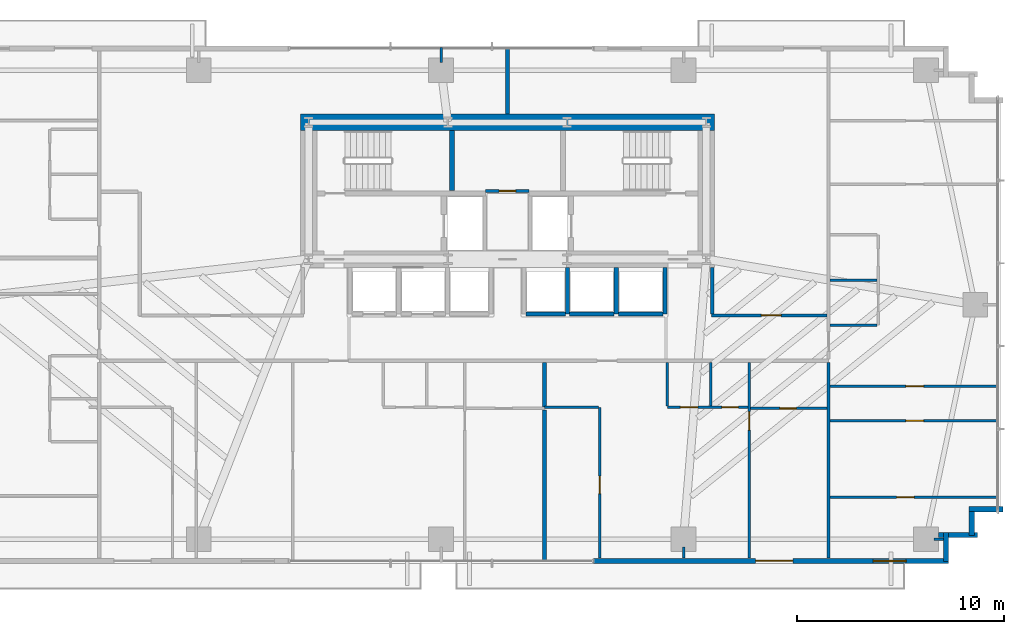
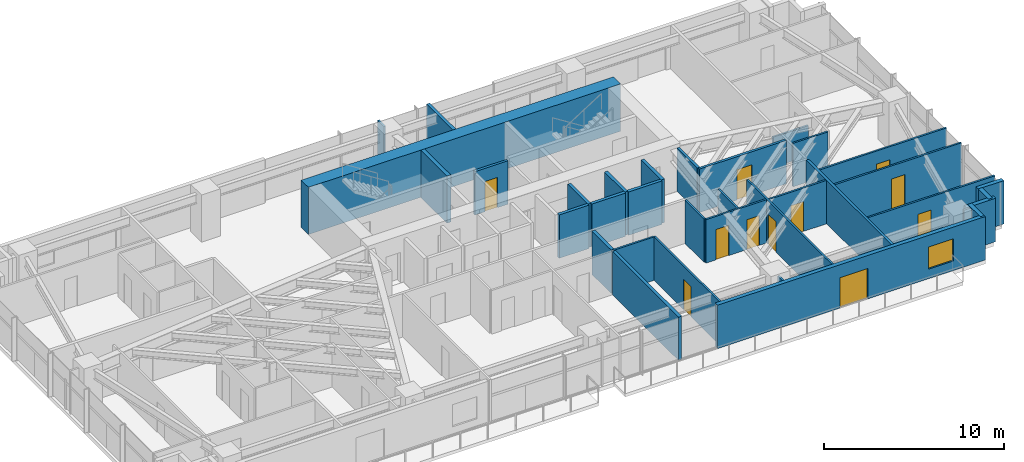
# One storey, part 21 of 25: 35 walls, 11 doors, 1 window, 12 openings.
"""IFC4 building model written with IfcOpenShell, lengths in metres."""

from ifc_helpers import new_model, si_unit, direction, frame, frame_2d, origin, place, context, subcontext, project, spatial, rectangle, extrude, source, transform, mapped, material, layer, layer_set, type_object, type_shapes, element, fill, save


model = new_model("IFC4")

# Units and contexts
model_context = context("Model", 3, precision=1e-05, world=origin(), true_north=direction((0.0, 1.0)))
body_context = subcontext(model_context, "Body", "Model", "MODEL_VIEW")
ifc_project = project(units=[si_unit("LENGTHUNIT", "METRE"), si_unit("AREAUNIT", "SQUARE_METRE"), si_unit("VOLUMEUNIT", "CUBIC_METRE"), si_unit("PLANEANGLEUNIT", "RADIAN"), si_unit("MASSUNIT", "GRAM", prefix="KILO")], contexts=[model_context])

# Site, building, storey
site_placement = place(None, origin())
site = spatial("IfcSite", under=ifc_project, at=site_placement, CompositionType="ELEMENT")
building_placement = place(site_placement, origin())
building = spatial("IfcBuilding", under=site, at=building_placement, Name="Astriad Promenade Condominiums", CompositionType="ELEMENT")
storey_placement = place(building_placement, frame((0.0, 0.0, 39.0)))
storey = spatial("IfcBuildingStorey", under=building, at=storey_placement, Name="L10", CompositionType="ELEMENT", Elevation=39.0)

# Walls
ifc_material_1 = material(Name="Concrete C80/95", Category="concrete")
ifc_layer_1 = layer(ifc_material_1, 0.800048828125)
ifc_layer_set_1 = layer_set([ifc_layer_1], Name="Concrete C80/95")
wall_type_1 = type_object("IfcWallType", Name="CW-SHEAR-800", PredefinedType="SHEAR", material=ifc_layer_set_1)
wall_1_placement = place(storey_placement, frame((26.0, 24.0, 0.0), z_axis=(0.0, 0.0, 1.0), x_axis=(1.0, 0.0, 0.0)))
element("IfcWall", 1, at=wall_1_placement, inside=storey, type_object=wall_type_1, Name="CW-CORE-N-L10", PredefinedType="SHEAR", context=body_context, shape_type="SweptSolid", body=[
    extrude(rectangle(XDim=20.0, YDim=0.800048828125, at=frame_2d((10.0, 0.0))), origin(), (0.0, 0.0, 1.0), 3.199951171875),
])
ifc_material_2 = material(Name="Concrete C50/60", Category="concrete")
ifc_layer_2 = layer(ifc_material_2, 0.25)
ifc_layer_set_2 = layer_set([ifc_layer_2], Name="Concrete C50/60")
wall_type_2 = type_object("IfcWallType", Name="WALL-CORE-INT-250", PredefinedType="SOLIDWALL", material=ifc_layer_set_2)
wall_2_placement = place(storey_placement, frame((33.324951171875, 20.701904296875, 0.0), z_axis=(0.0, 0.0, 1.0), x_axis=(0.0, 1.0, 0.0)))
element("IfcWall", 2, at=wall_2_placement, inside=storey, type_object=wall_type_2, Name="CW-ST1-E-L10", PredefinedType="SOLIDWALL", context=body_context, shape_type="SweptSolid", body=[
    extrude(rectangle(XDim=2.89599609375, YDim=0.25, at=frame_2d((1.447998046875, 0.0))), origin(), (0.0, 0.0, 1.0), 3.199951171875),
])

# Wall, opening, door
ifc_material_3 = material(Name="Fire-Rated Gypsum Partition")
ifc_layer_3 = layer(ifc_material_3, 0.159912109375)
ifc_layer_set_3 = layer_set([ifc_layer_3], Name="Fire-Rated Gypsum Partition")
wall_type_3 = type_object("IfcWallType", Name="WALL-CORR-160", PredefinedType="PARTITIONING", material=ifc_layer_set_3)
wall_3_placement = place(storey_placement, frame((34.949951171875, 20.68994140625, 0.0), z_axis=(0.0, 0.0, 1.0), x_axis=(1.0, 0.0, 0.0)))
wall_3 = element("IfcWall", 3, at=wall_3_placement, inside=storey, type_object=wall_type_3, Name="CW-AUX-S-L10", PredefinedType="PARTITIONING", context=body_context, shape_type="SweptSolid", body=[
    extrude(rectangle(XDim=2.10009765625, YDim=0.159912109375, at=frame_2d((1.050048828125, 0.0))), origin(), (0.0, 0.0, 1.0), 2.93994140625),
])
opening_1_placement = place(wall_3_placement, frame((0.64990234375, 0.0, 0.0)))
opening_1 = element("IfcOpeningElement", 4, at=opening_1_placement, cuts=wall_3, Name="Opening FD60-SV-080", PredefinedType="OPENING", context=body_context, shape_type="SweptSolid", body=[
    extrude(rectangle(XDim=0.800048828125, YDim=2.050048828125, at=frame_2d((0.39990234375, 1.02490234375))), frame((0.0, 0.08984375, 0.0), z_axis=(0.0, -1.0, 0.0), x_axis=(1.0, 0.0, 0.0)), (0.0, 0.0, 1.0), 0.179931640625),
])
ifc_material_4 = material(Name="Fire-Rated Riser Closet Door")
door_type_1 = type_object("IfcDoorType", Name="FD60-SV-080", OperationType="NOTDEFINED", PredefinedType="DOOR", material=ifc_material_4)
shared_shape_1 = source(origin(), body_context, "Body", "SweptSolid", [
    extrude(rectangle(XDim=0.800048828125, YDim=2.050048828125, at=frame_2d((0.39990234375, 1.02490234375))), frame((0.0, 0.02490234375, 0.0), z_axis=(0.0, -1.0, 0.0), x_axis=(1.0, 0.0, 0.0)), (0.0, 0.0, 1.0), 0.050048828125),
])
type_shapes(door_type_1, [shared_shape_1])
door_1_placement = place(opening_1_placement, origin())
door_1 = element("IfcDoor", 5, at=door_1_placement, inside=storey, type_object=door_type_1, Name="D-AUX1-L10", OperationType="SINGLE_SWING_LEFT", OverallHeight=2.050048828125, OverallWidth=0.800048828125, PredefinedType="DOOR", context=body_context, shape_type="MappedRepresentation", body=[
    mapped(shared_shape_1, transform((0.0, 0.0, 0.0), scale=1.0)),
])
fill(opening_1, door_1)

# Wall
wall_4_placement = place(storey_placement, frame((51.5, 2.9619140625, 0.0), z_axis=(0.0, 0.0, 1.0), x_axis=(0.0, 1.0, 0.0)))
element("IfcWall", 6, at=wall_4_placement, inside=storey, type_object=wall_type_3, Name="PT-COR-E-L10", PredefinedType="PARTITIONING", context=body_context, shape_type="SweptSolid", body=[
    extrude(rectangle(XDim=9.446044921875, YDim=0.159912109375, at=frame_2d((4.72314453125, 0.0))), origin(), (0.0, 0.0, 1.0), 2.93994140625),
])

# Wall, opening, door
wall_5_placement = place(storey_placement, frame((45.840087890625, 14.679931640625, 0.0), z_axis=(0.0, 0.0, 1.0), x_axis=(1.0, 0.0, 0.0)))
wall_5 = element("IfcWall", 7, at=wall_5_placement, inside=storey, type_object=wall_type_3, Name="PT-FLK-NE-L10", PredefinedType="PARTITIONING", context=body_context, shape_type="SweptSolid", body=[
    extrude(rectangle(XDim=5.577880859375, YDim=0.159912109375, at=frame_2d((2.7890625, 0.0))), origin(), (0.0, 0.0, 1.0), 2.93994140625),
])
opening_2_placement = place(wall_5_placement, frame((2.4150390625, 0.0, 0.0)))
opening_2 = element("IfcOpeningElement", 8, at=opening_2_placement, cuts=wall_5, Name="Opening FD60-APT-095", PredefinedType="OPENING", context=body_context, shape_type="SweptSolid", body=[
    extrude(rectangle(XDim=0.949951171875, YDim=2.06005859375, at=frame_2d((0.47509765625, 1.030029296875))), frame((0.0, 0.08984375, 0.0), z_axis=(0.0, -1.0, 0.0), x_axis=(1.0, 0.0, 0.0)), (0.0, 0.0, 1.0), 0.179931640625),
])
ifc_material_5 = material(Name="Solid-Core Acoustic Timber Residence Entry Door", Category="wood")
door_type_2 = type_object("IfcDoorType", Name="FD60-APT-095", OperationType="NOTDEFINED", PredefinedType="DOOR", material=ifc_material_5)
shared_shape_2 = source(origin(), body_context, "Body", "SweptSolid", [
    extrude(rectangle(XDim=0.949951171875, YDim=2.06005859375, at=frame_2d((0.47509765625, 1.030029296875))), frame((0.0, 0.02490234375, 0.0), z_axis=(0.0, -1.0, 0.0), x_axis=(1.0, 0.0, 0.0)), (0.0, 0.0, 1.0), 0.050048828125),
])
type_shapes(door_type_2, [shared_shape_2])
door_2_placement = place(opening_2_placement, origin())
door_2 = element("IfcDoor", 9, at=door_2_placement, inside=storey, type_object=door_type_2, Name="D-NEA-L10", OperationType="SINGLE_SWING_LEFT", OverallHeight=2.06005859375, OverallWidth=0.949951171875, PredefinedType="DOOR", context=body_context, shape_type="MappedRepresentation", body=[
    mapped(shared_shape_2, transform((0.0, 0.0, 0.0), scale=1.0)),
])
fill(opening_2, door_2)

# Walls
wall_6_placement = place(storey_placement, frame((45.8798828125, 14.761962890625, 0.0), z_axis=(0.0, 0.0, 1.0), x_axis=(0.0, 1.0, 0.0)))
element("IfcWall", 10, at=wall_6_placement, inside=storey, type_object=wall_type_3, Name="PT-ESPUR-E-L10", PredefinedType="PARTITIONING", context=body_context, shape_type="SweptSolid", body=[
    extrude(rectangle(XDim=2.236083984375, YDim=0.159912109375, at=frame_2d((1.1181640625, 0.0))), origin(), (0.0, 0.0, 1.0), 2.93994140625),
])
ifc_material_6 = material(Name="Acoustic Double-Stud Gypsum Partition")
ifc_layer_4 = layer(ifc_material_6, 0.199951171875)
ifc_layer_set_4 = layer_set([ifc_layer_4], Name="Acoustic Double-Stud Gypsum Partition")
wall_type_4 = type_object("IfcWallType", Name="WALL-DEMISING-200", PredefinedType="PARTITIONING", material=ifc_layer_set_4)
wall_7_placement = place(storey_placement, frame((36.0, 24.402099609375, 0.0), z_axis=(0.0, 0.0, 1.0), x_axis=(0.0, 1.0, 0.0)))
element("IfcWall", 11, at=wall_7_placement, inside=storey, type_object=wall_type_4, Name="PT-NC-MID-L10", PredefinedType="PARTITIONING", context=body_context, shape_type="SweptSolid", body=[
    extrude(rectangle(XDim=3.218017578125, YDim=0.199951171875, at=frame_2d((1.60888671875, 0.0))), origin(), (0.0, 0.0, 1.0), 2.93994140625),
])
wall_8_placement = place(storey_placement, frame((37.7939453125, 2.780029296875, 0.0), z_axis=(0.0, 0.0, 1.0), x_axis=(0.0, 1.0, 0.0)))
element("IfcWall", 12, at=wall_8_placement, inside=storey, type_object=wall_type_4, Name="PT-DEM-S1-L10", PredefinedType="PARTITIONING", context=body_context, shape_type="SweptSolid", body=[
    extrude(rectangle(XDim=7.347900390625, YDim=0.199951171875, at=frame_2d((3.673828125, 0.0))), origin(), (0.0, 0.0, 1.0), 2.93994140625),
])
wall_9_placement = place(storey_placement, frame((37.7939453125, 10.251953125, 0.0), z_axis=(0.0, 0.0, 1.0), x_axis=(0.0, 1.0, 0.0)))
element("IfcWall", 13, at=wall_9_placement, inside=storey, type_object=wall_type_4, Name="PT-DEM-S1-L10-S2", PredefinedType="PARTITIONING", context=body_context, shape_type="SweptSolid", body=[
    extrude(rectangle(XDim=2.156005859375, YDim=0.199951171875, at=frame_2d((1.078125, 0.0))), origin(), (0.0, 0.0, 1.0), 2.93994140625),
])
ifc_material_7 = material(Name="Precast concrete C50/60", Category="concrete")
ifc_layer_5 = layer(ifc_material_7, 0.260009765625)
ifc_layer_set_5 = layer_set([ifc_layer_5], Name="Precast concrete C50/60")
wall_type_5 = type_object("IfcWallType", Name="WALL-EXT-TWR-260", PredefinedType="STANDARD", material=ifc_layer_set_5)
wall_10_placement = place(storey_placement, frame((59.929931640625, 5.330078125, 0.0), z_axis=(0.0, 0.0, 1.0), x_axis=(-1.0, 0.0, 0.0)))
element("IfcWall", 14, at=wall_10_placement, inside=storey, type_object=wall_type_5, Name="W-SER-L10-14", PredefinedType="STANDARD", context=body_context, shape_type="SweptSolid", body=[
    extrude(rectangle(XDim=1.639892578125, YDim=0.260009765625, at=frame_2d((0.81982421875, 0.0))), origin(), (0.0, 0.0, 1.0), 2.93994140625),
])
wall_11_placement = place(storey_placement, frame((58.419921875, 5.215087890625, 0.0), z_axis=(0.0, 0.0, 1.0), x_axis=(0.0, -1.0, 0.0)))
element("IfcWall", 15, at=wall_11_placement, inside=storey, type_object=wall_type_5, Name="W-SER-L10-15", PredefinedType="STANDARD", context=body_context, shape_type="SweptSolid", body=[
    extrude(rectangle(XDim=1.150146484375, YDim=0.260009765625, at=frame_2d((0.5751953125, 0.0))), origin(), (0.0, 0.0, 1.0), 2.93994140625),
])
wall_12_placement = place(storey_placement, frame((58.679931640625, 4.080078125, 0.0), z_axis=(0.0, 0.0, 1.0), x_axis=(-1.0, 0.0, 0.0)))
element("IfcWall", 16, at=wall_12_placement, inside=storey, type_object=wall_type_5, Name="W-SER-L10-16", PredefinedType="STANDARD", context=body_context, shape_type="SweptSolid", body=[
    extrude(rectangle(XDim=1.8779296875, YDim=0.260009765625, at=frame_2d((0.93896484375, 0.0))), origin(), (0.0, 0.0, 1.0), 2.93994140625),
])
wall_13_placement = place(storey_placement, frame((57.169921875, 4.2099609375, 0.0), z_axis=(0.0, 0.0, 1.0), x_axis=(0.0, -1.0, 0.0)))
element("IfcWall", 17, at=wall_13_placement, inside=storey, type_object=wall_type_5, Name="W-SER-L10-17", PredefinedType="STANDARD", context=body_context, shape_type="SweptSolid", body=[
    extrude(rectangle(XDim=1.39501953125, YDim=0.260009765625, at=frame_2d((0.697509765625, 0.0))), origin(), (0.0, 0.0, 1.0), 2.93994140625),
])

# Wall, openings, door, window
wall_14_placement = place(storey_placement, frame((57.300048828125, 2.830078125, 0.0), z_axis=(0.0, 0.0, 1.0), x_axis=(-1.0, 0.0, 0.0)))
wall_14 = element("IfcWall", 18, at=wall_14_placement, inside=storey, type_object=wall_type_5, Name="W-EXT-L10-S1", PredefinedType="STANDARD", context=body_context, shape_type="SweptSolid", body=[
    extrude(rectangle(XDim=17.150146484375, YDim=0.260009765625, at=frame_2d((8.5751953125, 0.0))), origin(), (0.0, 0.0, 1.0), 2.93994140625),
])
opening_3_placement = place(wall_14_placement, frame((7.51611328125, 0.0, 0.0)))
opening_3 = element("IfcOpeningElement", 19, at=opening_3_placement, cuts=wall_14, Name="Opening BD-1822-SLD", PredefinedType="OPENING", context=body_context, shape_type="SweptSolid", body=[
    extrude(rectangle(XDim=1.800048828125, YDim=2.06005859375, at=frame_2d((0.89990234375, 1.030029296875))), frame((0.0, 0.139892578125, 0.0), z_axis=(0.0, -1.0, 0.0), x_axis=(1.0, 0.0, 0.0)), (0.0, 0.0, 1.0), 0.280029296875),
])
opening_4_placement = place(wall_14_placement, frame((2.050048828125, 0.0, 0.64990234375)))
opening_4 = element("IfcOpeningElement", 20, at=opening_4_placement, cuts=wall_14, Name="Opening WIN-TWR-1620", PredefinedType="OPENING", context=body_context, shape_type="SweptSolid", body=[
    extrude(rectangle(XDim=1.60009765625, YDim=1.5, at=frame_2d((0.800048828125, 0.75))), frame((0.0, 0.139892578125, 0.0), z_axis=(0.0, -1.0, 0.0), x_axis=(1.0, 0.0, 0.0)), (0.0, 0.0, 1.0), 0.280029296875),
])
ifc_material_8 = material(Name="Thermally Broken Aluminium Sliding Balcony Door", Category="aluminium")
door_type_3 = type_object("IfcDoorType", Name="BD-1822-SLD", OperationType="NOTDEFINED", PredefinedType="DOOR", material=ifc_material_8)
shared_shape_3 = source(origin(), body_context, "Body", "SweptSolid", [
    extrude(rectangle(XDim=1.800048828125, YDim=2.06005859375, at=frame_2d((0.89990234375, 1.030029296875))), frame((0.0, 0.02490234375, 0.0), z_axis=(0.0, -1.0, 0.0), x_axis=(1.0, 0.0, 0.0)), (0.0, 0.0, 1.0), 0.050048828125),
])
type_shapes(door_type_3, [shared_shape_3])
door_3_placement = place(opening_3_placement, origin())
door_3 = element("IfcDoor", 21, at=door_3_placement, inside=storey, type_object=door_type_3, Name="BD-L10-SE", OperationType="SLIDING_TO_RIGHT", OverallHeight=2.06005859375, OverallWidth=1.800048828125, PredefinedType="DOOR", context=body_context, shape_type="MappedRepresentation", body=[
    mapped(shared_shape_3, transform((0.0, 0.0, 0.0), scale=1.0)),
])
fill(opening_3, door_3)
ifc_material_9 = material(Name="Dark Tinted Triple-Glazed Aluminium Window", Category="aluminium")
window_type = type_object("IfcWindowType", Name="WIN-TWR-1620", PartitioningType="SINGLE_PANEL", PredefinedType="WINDOW", material=ifc_material_9)
shared_shape_4 = source(origin(), body_context, "Body", "SweptSolid", [
    extrude(rectangle(XDim=1.60009765625, YDim=1.5, at=frame_2d((0.800048828125, 0.75))), frame((0.0, 0.030029296875, 0.0), z_axis=(0.0, -1.0, 0.0), x_axis=(1.0, 0.0, 0.0)), (0.0, 0.0, 1.0), 0.06005859375),
])
type_shapes(window_type, [shared_shape_4])
window_placement = place(opening_4_placement, origin())
window = element("IfcWindow", 22, at=window_placement, inside=storey, type_object=window_type, Name="WIN-L10-SE", OverallHeight=1.5, OverallWidth=1.60009765625, PartitioningType="SINGLE_PANEL", PredefinedType="WINDOW", context=body_context, shape_type="MappedRepresentation", body=[
    mapped(shared_shape_4, transform((0.0, 0.0, 0.0), scale=1.0)),
])
fill(opening_4, window)

# Wall, opening, door
ifc_material_10 = material(Name="Acoustic Metal-Stud Gypsum Partition")
ifc_layer_6 = layer(ifc_material_10, 0.1201171875)
ifc_layer_set_6 = layer_set([ifc_layer_6], Name="Acoustic Metal-Stud Gypsum Partition")
wall_type_6 = type_object("IfcWallType", Name="WALL-PART-120", PredefinedType="PARTITIONING", material=ifc_layer_set_6)
wall_15_placement = place(storey_placement, frame((47.669921875, 2.9619140625, 0.0), z_axis=(0.0, 0.0, 1.0), x_axis=(0.0, 1.0, 0.0)))
wall_15 = element("IfcWall", 23, at=wall_15_placement, inside=storey, type_object=wall_type_6, Name="PT-L10-S2-BD1", PredefinedType="PARTITIONING", context=body_context, shape_type="SweptSolid", body=[
    extrude(rectangle(XDim=9.446044921875, YDim=0.1201171875, at=frame_2d((4.72314453125, 0.0))), origin(), (0.0, 0.0, 1.0), 2.93994140625),
])
opening_5_placement = place(wall_15_placement, frame((6.177978515625, 0.0, 0.0)))
opening_5 = element("IfcOpeningElement", 24, at=opening_5_placement, cuts=wall_15, Name="Opening D-INT-090", PredefinedType="OPENING", context=body_context, shape_type="SweptSolid", body=[
    extrude(rectangle(XDim=0.89990234375, YDim=2.050048828125, at=frame_2d((0.449951171875, 1.02490234375))), frame((0.0, 0.070068359375, 0.0), z_axis=(0.0, -1.0, 0.0), x_axis=(1.0, 0.0, 0.0)), (0.0, 0.0, 1.0), 0.14013671875),
])
ifc_material_11 = material(Name="Painted Solid-Core Timber Bedroom Door", Category="wood")
door_type_4 = type_object("IfcDoorType", Name="D-INT-090", OperationType="NOTDEFINED", PredefinedType="DOOR", material=ifc_material_11)
shared_shape_5 = source(origin(), body_context, "Body", "SweptSolid", [
    extrude(rectangle(XDim=0.89990234375, YDim=2.050048828125, at=frame_2d((0.449951171875, 1.02490234375))), frame((0.0, 0.02490234375, 0.0), z_axis=(0.0, -1.0, 0.0), x_axis=(1.0, 0.0, 0.0)), (0.0, 0.0, 1.0), 0.050048828125),
])
type_shapes(door_type_4, [shared_shape_5])
door_4_placement = place(opening_5_placement, origin())
door_4 = element("IfcDoor", 25, at=door_4_placement, inside=storey, type_object=door_type_4, Name="D-BD1-L10-S2", OperationType="SINGLE_SWING_LEFT", OverallHeight=2.050048828125, OverallWidth=0.89990234375, PredefinedType="DOOR", context=body_context, shape_type="MappedRepresentation", body=[
    mapped(shared_shape_5, transform((0.0, 0.0, 0.0), scale=1.0)),
])
fill(opening_5, door_4)

# Wall, openings, doors
wall_16_placement = place(storey_placement, frame((43.719970703125, 10.239990234375, 0.0), z_axis=(0.0, 0.0, 1.0), x_axis=(1.0, 0.0, 0.0)))
wall_16 = element("IfcWall", 26, at=wall_16_placement, inside=storey, type_object=wall_type_6, Name="PT-L10-S2-PS", PredefinedType="PARTITIONING", context=body_context, shape_type="SweptSolid", body=[
    extrude(rectangle(XDim=3.887939453125, YDim=0.1201171875, at=frame_2d((1.94384765625, 0.0))), origin(), (0.0, 0.0, 1.0), 2.93994140625),
])
opening_6_placement = place(wall_16_placement, frame((0.625, 0.0, 0.0)))
opening_6 = element("IfcOpeningElement", 27, at=opening_6_placement, cuts=wall_16, Name="Opening D-INT-085", PredefinedType="OPENING", context=body_context, shape_type="SweptSolid", body=[
    extrude(rectangle(XDim=0.85009765625, YDim=2.050048828125, at=frame_2d((0.425048828125, 1.02490234375))), frame((0.0, 0.070068359375, 0.0), z_axis=(0.0, -1.0, 0.0), x_axis=(1.0, 0.0, 0.0)), (0.0, 0.0, 1.0), 0.14013671875),
])
opening_7_placement = place(wall_16_placement, frame((2.625, 0.0, 0.0)))
opening_7 = element("IfcOpeningElement", 28, at=opening_7_placement, cuts=wall_16, Name="Opening D-WET-080", PredefinedType="OPENING", context=body_context, shape_type="SweptSolid", body=[
    extrude(rectangle(XDim=0.800048828125, YDim=2.02001953125, at=frame_2d((0.39990234375, 1.010009765625))), frame((0.0, 0.070068359375, 0.0), z_axis=(0.0, -1.0, 0.0), x_axis=(1.0, 0.0, 0.0)), (0.0, 0.0, 1.0), 0.14013671875),
])
ifc_material_12 = material(Name="Moisture-Resistant Timber Bathroom Door", Category="wood")
door_type_5 = type_object("IfcDoorType", Name="D-WET-080", OperationType="NOTDEFINED", PredefinedType="DOOR", material=ifc_material_12)
shared_shape_6 = source(origin(), body_context, "Body", "SweptSolid", [
    extrude(rectangle(XDim=0.800048828125, YDim=2.02001953125, at=frame_2d((0.39990234375, 1.010009765625))), frame((0.0, 0.02490234375, 0.0), z_axis=(0.0, -1.0, 0.0), x_axis=(1.0, 0.0, 0.0)), (0.0, 0.0, 1.0), 0.050048828125),
])
type_shapes(door_type_5, [shared_shape_6])
door_5_placement = place(opening_7_placement, origin())
door_5 = element("IfcDoor", 29, at=door_5_placement, inside=storey, type_object=door_type_5, Name="D-BTH-L10-S2", OperationType="SINGLE_SWING_LEFT", OverallHeight=2.02001953125, OverallWidth=0.800048828125, PredefinedType="DOOR", context=body_context, shape_type="MappedRepresentation", body=[
    mapped(shared_shape_6, transform((0.0, 0.0, 0.0), scale=1.0)),
])
fill(opening_7, door_5)
ifc_material_13 = material(Name="Painted Solid-Core Timber Room Door", Category="wood")
door_type_6 = type_object("IfcDoorType", Name="D-INT-085", OperationType="NOTDEFINED", PredefinedType="DOOR", material=ifc_material_13)
shared_shape_7 = source(origin(), body_context, "Body", "SweptSolid", [
    extrude(rectangle(XDim=0.85009765625, YDim=2.050048828125, at=frame_2d((0.425048828125, 1.02490234375))), frame((0.0, 0.02490234375, 0.0), z_axis=(0.0, -1.0, 0.0), x_axis=(1.0, 0.0, 0.0)), (0.0, 0.0, 1.0), 0.050048828125),
])
type_shapes(door_type_6, [shared_shape_7])
door_6_placement = place(opening_6_placement, origin())
door_6 = element("IfcDoor", 30, at=door_6_placement, inside=storey, type_object=door_type_6, Name="D-KIT-L10-S2", OperationType="SINGLE_SWING_RIGHT", OverallHeight=2.050048828125, OverallWidth=0.85009765625, PredefinedType="DOOR", context=body_context, shape_type="MappedRepresentation", body=[
    mapped(shared_shape_7, transform((0.0, 0.0, 0.0), scale=1.0)),
])
fill(opening_6, door_6)

# Walls
for number, where, z_axis, x_axis, name in (
    (31, (45.820068359375, 10.302001953125, 0.0), (0.0, 0.0, 1.0), (0.0, 1.0, 0.0), "PT-L10-S2-PBK"),
    (32, (43.719970703125, 10.302001953125, 0.0), (0.0, 0.0, 1.0), (0.0, 1.0, 0.0), "PT-L10-S2-PKW"),
):
    element("IfcWall", number, at=place(storey_placement, frame(where, z_axis=z_axis, x_axis=x_axis)), inside=storey, type_object=wall_type_6, Name=name, PredefinedType="PARTITIONING", context=body_context, shape_type="SweptSolid", body=[
        extrude(rectangle(XDim=2.10595703125, YDim=0.1201171875, at=frame_2d((1.052978515625, 0.0))), origin(), (0.0, 0.0, 1.0), 2.93994140625),
    ])

# Wall, opening, door
wall_17_placement = place(storey_placement, frame((47.73193359375, 10.18994140625, 0.0), z_axis=(0.0, 0.0, 1.0), x_axis=(1.0, 0.0, 0.0)))
wall_17 = element("IfcWall", 33, at=wall_17_placement, inside=storey, type_object=wall_type_6, Name="PT-L10-S2-ENS", PredefinedType="PARTITIONING", context=body_context, shape_type="SweptSolid", body=[
    extrude(rectangle(XDim=3.68603515625, YDim=0.1201171875, at=frame_2d((1.843017578125, 0.0))), origin(), (0.0, 0.0, 1.0), 2.93994140625),
])
opening_8_placement = place(wall_17_placement, frame((1.4130859375, 0.0, 0.0)))
opening_8 = element("IfcOpeningElement", 34, at=opening_8_placement, cuts=wall_17, Name="Opening D-WET-080", PredefinedType="OPENING", context=body_context, shape_type="SweptSolid", body=[
    extrude(rectangle(XDim=0.800048828125, YDim=2.02001953125, at=frame_2d((0.39990234375, 1.010009765625))), frame((0.0, 0.070068359375, 0.0), z_axis=(0.0, -1.0, 0.0), x_axis=(1.0, 0.0, 0.0)), (0.0, 0.0, 1.0), 0.14013671875),
])
door_7_placement = place(opening_8_placement, origin())
door_7 = element("IfcDoor", 35, at=door_7_placement, inside=storey, type_object=door_type_5, Name="D-ENS-L10-S2", OperationType="SINGLE_SWING_RIGHT", OverallHeight=2.02001953125, OverallWidth=0.800048828125, PredefinedType="DOOR", context=body_context, shape_type="MappedRepresentation", body=[
    mapped(shared_shape_6, transform((0.0, 0.0, 0.0), scale=1.0)),
])
fill(opening_8, door_7)

wall_18_placement = place(storey_placement, frame((40.45703125, 2.9619140625, 0.0), z_axis=(0.0, 0.0, 1.0), x_axis=(0.0, 1.0, 0.0)))
wall_18 = element("IfcWall", 36, at=wall_18_placement, inside=storey, type_object=wall_type_6, Name="PT-L10-S2-EXV", PredefinedType="PARTITIONING", context=body_context, shape_type="SweptSolid", body=[
    extrude(rectangle(XDim=7.278076171875, YDim=0.1201171875, at=frame_2d((3.63916015625, 0.0))), origin(), (0.0, 0.0, 1.0), 2.93994140625),
])
opening_9_placement = place(wall_18_placement, frame((3.113037109375, 0.0, 0.0)))
opening_9 = element("IfcOpeningElement", 37, at=opening_9_placement, cuts=wall_18, Name="Opening D-INT-085", PredefinedType="OPENING", context=body_context, shape_type="SweptSolid", body=[
    extrude(rectangle(XDim=0.85009765625, YDim=2.050048828125, at=frame_2d((0.425048828125, 1.02490234375))), frame((0.0, 0.070068359375, 0.0), z_axis=(0.0, -1.0, 0.0), x_axis=(1.0, 0.0, 0.0)), (0.0, 0.0, 1.0), 0.14013671875),
])
door_8_placement = place(opening_9_placement, origin())
door_8 = element("IfcDoor", 38, at=door_8_placement, inside=storey, type_object=door_type_6, Name="D-EX-L10-S2", OperationType="SINGLE_SWING_LEFT", OverallHeight=2.050048828125, OverallWidth=0.85009765625, PredefinedType="DOOR", context=body_context, shape_type="MappedRepresentation", body=[
    mapped(shared_shape_7, transform((0.0, 0.0, 0.0), scale=1.0)),
])
fill(opening_9, door_8)

# Walls
wall_19_placement = place(storey_placement, frame((37.7939453125, 10.239990234375, 0.0), z_axis=(0.0, 0.0, 1.0), x_axis=(1.0, 0.0, 0.0)))
element("IfcWall", 39, at=wall_19_placement, inside=storey, type_object=wall_type_6, Name="PT-L10-S2-EXH", PredefinedType="PARTITIONING", context=body_context, shape_type="SweptSolid", body=[
    extrude(rectangle(XDim=2.60107421875, YDim=0.1201171875, at=frame_2d((1.300537109375, 0.0))), origin(), (0.0, 0.0, 1.0), 2.93994140625),
])
wall_20_placement = place(storey_placement, frame((51.58203125, 16.39208984375, 0.0), z_axis=(0.0, 0.0, 1.0), x_axis=(1.0, 0.0, 0.0)))
element("IfcWall", 40, at=wall_20_placement, inside=storey, type_object=wall_type_6, Name="PT-L10-E1-PM", PredefinedType="PARTITIONING", context=body_context, shape_type="SweptSolid", body=[
    extrude(rectangle(XDim=2.255859375, YDim=0.1201171875, at=frame_2d((1.1279296875, 0.0))), origin(), (0.0, 0.0, 1.0), 2.044921875),
])
wall_21_placement = place(storey_placement, frame((51.58203125, 14.217041015625, 0.0), z_axis=(0.0, 0.0, 1.0), x_axis=(1.0, 0.0, 0.0)))
element("IfcWall", 41, at=wall_21_placement, inside=storey, type_object=wall_type_6, Name="PT-L10-E1-PS", PredefinedType="PARTITIONING", context=body_context, shape_type="SweptSolid", body=[
    extrude(rectangle(XDim=2.255859375, YDim=0.1201171875, at=frame_2d((1.1279296875, 0.0))), origin(), (0.0, 0.0, 1.0), 2.93994140625),
])

# Wall, opening, door
wall_22_placement = place(storey_placement, frame((51.58203125, 5.909912109375, 0.0), z_axis=(0.0, 0.0, 1.0), x_axis=(1.0, 0.0, 0.0)))
wall_22 = element("IfcWall", 42, at=wall_22_placement, inside=storey, type_object=wall_type_6, Name="PT-L10-E1-B2", PredefinedType="PARTITIONING", context=body_context, shape_type="SweptSolid", body=[
    extrude(rectangle(XDim=8.137939453125, YDim=0.1201171875, at=frame_2d((4.06884765625, 0.0))), origin(), (0.0, 0.0, 1.0), 2.93994140625),
])
opening_10_placement = place(wall_22_placement, frame((3.202880859375, 0.0, 0.0)))
opening_10 = element("IfcOpeningElement", 43, at=opening_10_placement, cuts=wall_22, Name="Opening D-INT-085", PredefinedType="OPENING", context=body_context, shape_type="SweptSolid", body=[
    extrude(rectangle(XDim=0.85009765625, YDim=2.050048828125, at=frame_2d((0.425048828125, 1.02490234375))), frame((0.0, 0.070068359375, 0.0), z_axis=(0.0, -1.0, 0.0), x_axis=(1.0, 0.0, 0.0)), (0.0, 0.0, 1.0), 0.14013671875),
])
door_9_placement = place(opening_10_placement, origin())
door_9 = element("IfcDoor", 44, at=door_9_placement, inside=storey, type_object=door_type_6, Name="D-BD2-L10-E1", OperationType="SINGLE_SWING_RIGHT", OverallHeight=2.050048828125, OverallWidth=0.85009765625, PredefinedType="DOOR", context=body_context, shape_type="MappedRepresentation", body=[
    mapped(shared_shape_7, transform((0.0, 0.0, 0.0), scale=1.0)),
])
fill(opening_10, door_9)

wall_23_placement = place(storey_placement, frame((51.58203125, 9.597900390625, 0.0), z_axis=(0.0, 0.0, 1.0), x_axis=(1.0, 0.0, 0.0)))
wall_23 = element("IfcWall", 45, at=wall_23_placement, inside=storey, type_object=wall_type_6, Name="PT-L10-E1-WDS1", PredefinedType="PARTITIONING", context=body_context, shape_type="SweptSolid", body=[
    extrude(rectangle(XDim=8.137939453125, YDim=0.1201171875, at=frame_2d((4.06884765625, 0.0))), origin(), (0.0, 0.0, 1.0), 2.93994140625),
])
opening_11_placement = place(wall_23_placement, frame((3.653076171875, 0.0, 0.0)))
opening_11 = element("IfcOpeningElement", 46, at=opening_11_placement, cuts=wall_23, Name="Opening D-INT-085", PredefinedType="OPENING", context=body_context, shape_type="SweptSolid", body=[
    extrude(rectangle(XDim=0.85009765625, YDim=2.050048828125, at=frame_2d((0.425048828125, 1.02490234375))), frame((0.0, 0.070068359375, 0.0), z_axis=(0.0, -1.0, 0.0), x_axis=(1.0, 0.0, 0.0)), (0.0, 0.0, 1.0), 0.14013671875),
])
door_10_placement = place(opening_11_placement, origin())
door_10 = element("IfcDoor", 47, at=door_10_placement, inside=storey, type_object=door_type_6, Name="D-WDS1-L10-E1", OperationType="SINGLE_SWING_LEFT", OverallHeight=2.050048828125, OverallWidth=0.85009765625, PredefinedType="DOOR", context=body_context, shape_type="MappedRepresentation", body=[
    mapped(shared_shape_7, transform((0.0, 0.0, 0.0), scale=1.0)),
])
fill(opening_11, door_10)

wall_24_placement = place(storey_placement, frame((51.58203125, 11.258056640625, 0.0), z_axis=(0.0, 0.0, 1.0), x_axis=(1.0, 0.0, 0.0)))
wall_24 = element("IfcWall", 48, at=wall_24_placement, inside=storey, type_object=wall_type_6, Name="PT-L10-E1-WDS3", PredefinedType="PARTITIONING", context=body_context, shape_type="SweptSolid", body=[
    extrude(rectangle(XDim=8.137939453125, YDim=0.1201171875, at=frame_2d((4.06884765625, 0.0))), origin(), (0.0, 0.0, 1.0), 2.93994140625),
])
opening_12_placement = place(wall_24_placement, frame((3.653076171875, 0.0, 0.0)))
opening_12 = element("IfcOpeningElement", 49, at=opening_12_placement, cuts=wall_24, Name="Opening D-INT-085", PredefinedType="OPENING", context=body_context, shape_type="SweptSolid", body=[
    extrude(rectangle(XDim=0.85009765625, YDim=2.050048828125, at=frame_2d((0.425048828125, 1.02490234375))), frame((0.0, 0.070068359375, 0.0), z_axis=(0.0, -1.0, 0.0), x_axis=(1.0, 0.0, 0.0)), (0.0, 0.0, 1.0), 0.14013671875),
])
door_11_placement = place(opening_12_placement, origin())
door_11 = element("IfcDoor", 50, at=door_11_placement, inside=storey, type_object=door_type_6, Name="D-WDS3-L10-E1", OperationType="SINGLE_SWING_LEFT", OverallHeight=2.050048828125, OverallWidth=0.85009765625, PredefinedType="DOOR", context=body_context, shape_type="MappedRepresentation", body=[
    mapped(shared_shape_7, transform((0.0, 0.0, 0.0), scale=1.0)),
])
fill(opening_12, door_11)

# Walls
wall_25_placement = place(storey_placement, frame((44.5, 3.5, 0.0), z_axis=(0.0, 0.0, 1.0), x_axis=(0.0, -1.0, 0.0)))
element("IfcWall", 51, at=wall_25_placement, inside=storey, type_object=wall_type_6, Name="PT-PIL-L10-PC04-11", PredefinedType="PARTITIONING", context=body_context, shape_type="SweptSolid", body=[
    extrude(rectangle(XDim=0.5380859375, YDim=0.1201171875, at=frame_2d((0.26904296875, 0.0))), origin(), (0.0, 0.0, 1.0), 2.93994140625),
])
wall_26_placement = place(storey_placement, frame((56.580078125, 3.8798828125, 0.0), z_axis=(0.0, 0.0, 1.0), x_axis=(1.0, 0.0, 0.0)))
element("IfcWall", 52, at=wall_26_placement, inside=storey, type_object=wall_type_6, Name="PT-PIL-L10-PC05-12", PredefinedType="PARTITIONING", context=body_context, shape_type="SweptSolid", body=[
    extrude(rectangle(XDim=0.4580078125, YDim=0.1201171875, at=frame_2d((0.22900390625, 0.0))), origin(), (0.0, 0.0, 1.0), 2.93994140625),
])
wall_27_placement = place(storey_placement, frame((32.800048828125, 26.89990234375, 0.0), z_axis=(0.0, 0.0, 1.0), x_axis=(0.0, 1.0, 0.0)))
element("IfcWall", 53, at=wall_27_placement, inside=storey, type_object=wall_type_6, Name="PT-PIL-L10-PC08-15", PredefinedType="PARTITIONING", context=body_context, shape_type="SweptSolid", body=[
    extrude(rectangle(XDim=0.72021484375, YDim=0.1201171875, at=frame_2d((0.360107421875, 0.0))), origin(), (0.0, 0.0, 1.0), 2.93994140625),
])
ifc_material_14 = material(Name="Gypsum Shaftliner Assembly")
ifc_layer_7 = layer(ifc_material_14, 0.199951171875)
ifc_layer_set_7 = layer_set([ifc_layer_7], Name="Gypsum Shaftliner Assembly")
wall_type_7 = type_object("IfcWallType", Name="WALL-SHAFT-200", PredefinedType="PARTITIONING", material=ifc_layer_set_7)
wall_28_placement = place(storey_placement, frame((38.89990234375, 14.75, 0.0), z_axis=(0.0, 0.0, 1.0), x_axis=(0.0, 1.0, 0.0)))
element("IfcWall", 54, at=wall_28_placement, inside=storey, type_object=wall_type_7, Name="PL-MH-DIV-L10", PredefinedType="PARTITIONING", context=body_context, shape_type="SweptSolid", body=[
    extrude(rectangle(XDim=2.248046875, YDim=0.199951171875, at=frame_2d((1.1240234375, 0.0))), origin(), (0.0, 0.0, 1.0), 2.93994140625),
])
wall_29_placement = place(storey_placement, frame((36.902099609375, 14.75, 0.0), z_axis=(0.0, 0.0, 1.0), x_axis=(1.0, 0.0, 0.0)))
element("IfcWall", 55, at=wall_29_placement, inside=storey, type_object=wall_type_7, Name="PL-M2-F-L10", PredefinedType="PARTITIONING", context=body_context, shape_type="SweptSolid", body=[
    extrude(rectangle(XDim=1.89599609375, YDim=0.199951171875, at=frame_2d((0.947998046875, 0.0))), origin(), (0.0, 0.0, 1.0), 2.93994140625),
])
for number, where, z_axis, x_axis, name in (
    (56, (41.25, 14.75, 0.0), (0.0, 0.0, 1.0), (0.0, 1.0, 0.0), "PL-H-DIV-L10"),
    (57, (43.60009765625, 14.75, 0.0), (0.0, 0.0, 1.0), (0.0, 1.0, 0.0), "PL-E-OUT-L10"),
):
    element("IfcWall", number, at=place(storey_placement, frame(where, z_axis=z_axis, x_axis=x_axis)), inside=storey, type_object=wall_type_7, Name=name, PredefinedType="PARTITIONING", context=body_context, shape_type="SweptSolid", body=[
        extrude(rectangle(XDim=2.248046875, YDim=0.199951171875, at=frame_2d((1.1240234375, 0.0))), origin(), (0.0, 0.0, 1.0), 2.93994140625),
    ])
for number, where, z_axis, x_axis, name in (
    (58, (39.001953125, 14.75, 0.0), (0.0, 0.0, 1.0), (1.0, 0.0, 0.0), "PL-H-FRT-L10"),
    (59, (41.35205078125, 14.75, 0.0), (0.0, 0.0, 1.0), (1.0, 0.0, 0.0), "PL-H-FRT-L10-S2"),
):
    element("IfcWall", number, at=place(storey_placement, frame(where, z_axis=z_axis, x_axis=x_axis)), inside=storey, type_object=wall_type_7, Name=name, PredefinedType="PARTITIONING", context=body_context, shape_type="SweptSolid", body=[
        extrude(rectangle(XDim=2.14599609375, YDim=0.199951171875, at=frame_2d((1.072998046875, 0.0))), origin(), (0.0, 0.0, 1.0), 2.93994140625),
    ])

save(model, "model.ifc")
